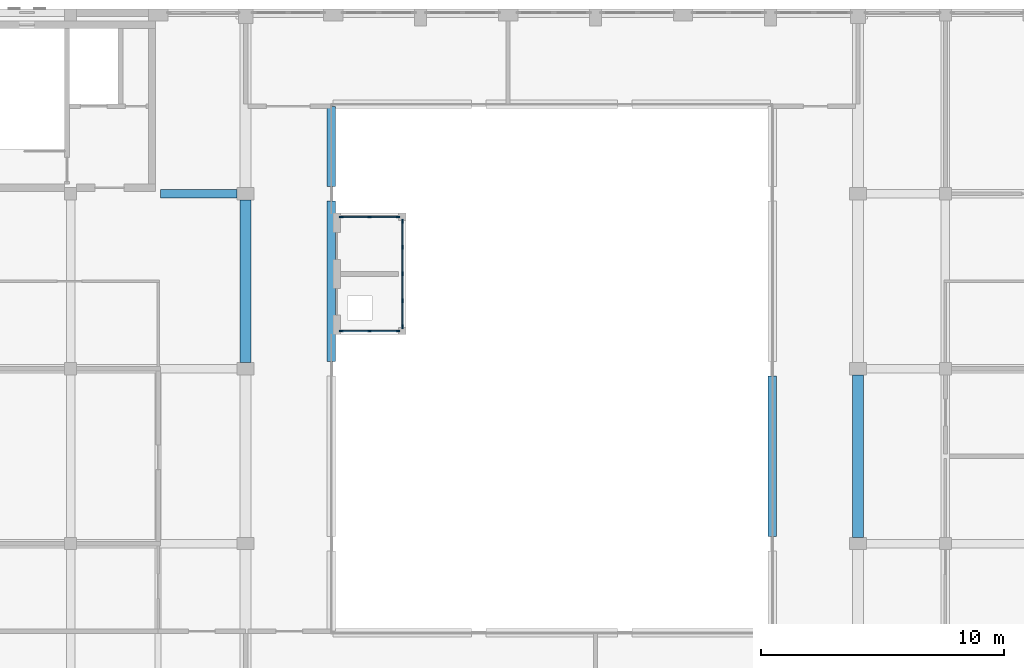
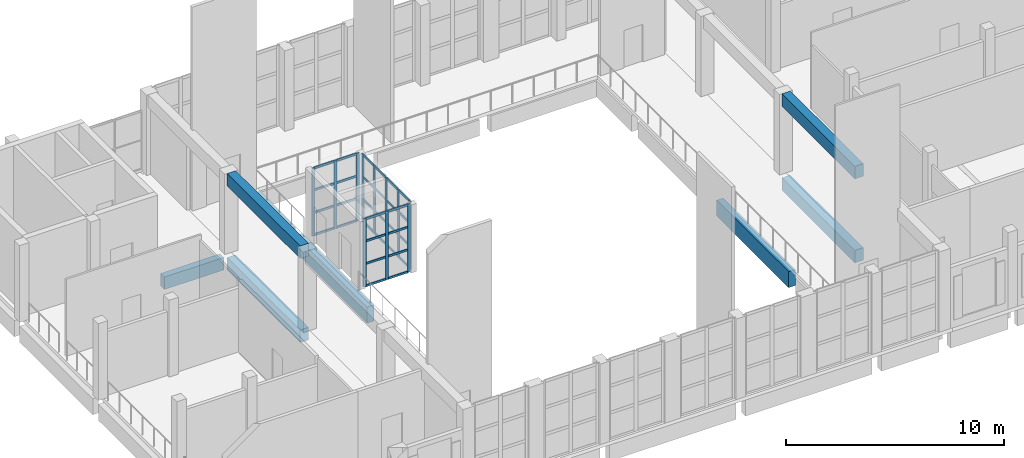
# One storey, part 6 of 54: 43 members, 8 beams, 3 elements without a shape of their own.
"""IFC4 building model written with IfcOpenShell, lengths in metres."""

import ifcopenshell
import ifcopenshell.guid

model = None  # the IFC model being written
_history = None  # IfcOwnerHistory: only IFC2X3 demands one
_inside = {}  # id of a spatial element -> (the spatial element, [elements in it])
_under = {}  # id of a project, library or spatial element -> (it, [spatial elements below it])
_declared = {}  # id of a project -> (the project, [libraries it declares])
_typed = {}  # id of a type object -> (the type object, [elements of that type])
_made_of = {}  # id of a material, layer set ... -> (it, [elements and type objects made of it])


def new_model(schema):
    """Start an empty IFC model of exactly this schema.

    Asked for "IFC4X3", IfcOpenShell would pick the latest addendum, in which some entities
    have other attributes; the version numbers below select the first issue.
    IFC2X3 requires an IfcOwnerHistory on every rooted entity: one is made here for all.
    """
    global model, _history
    if schema == "IFC4X3":
        model = ifcopenshell.file(schema_version=(4, 3, 0, 0))
    else:
        model = ifcopenshell.file(schema=schema)
    _inside.clear()
    _under.clear()
    _declared.clear()
    _typed.clear()
    _made_of.clear()
    _history = None
    if model.schema == "IFC2X3":
        org = make("IfcOrganization", Name="unknown")
        user = make(
            "IfcPersonAndOrganization",
            ThePerson=make("IfcPerson", FamilyName="unknown"),
            TheOrganization=org,
        )
        app = make(
            "IfcApplication",
            ApplicationDeveloper=org,
            Version="unknown",
            ApplicationFullName="unknown",
            ApplicationIdentifier="unknown",
        )
        _history = make(
            "IfcOwnerHistory",
            OwningUser=user,
            OwningApplication=app,
            ChangeAction="ADDED",
            CreationDate=0,
        )
    return model


def make(cls, **values):
    """One entity of the class cls with the attributes given. An attribute that is None is left unset."""
    return model.create_entity(
        cls, **{name: value for name, value in values.items() if value is not None}
    )


def rooted(cls, **values):
    """An entity with a GlobalId (a new one), such as an element, a storey or a relation."""
    return make(cls, GlobalId=ifcopenshell.guid.new(), OwnerHistory=_history, **values)


def si_unit(unit_type, name, prefix=None):
    """IfcSIUnit, for example si_unit("LENGTHUNIT", "METRE", prefix="MILLI")."""
    return make("IfcSIUnit", UnitType=unit_type, Prefix=prefix, Name=name)


def assignment(units):
    """IfcUnitAssignment: the units of a project."""
    return None if units is None else make("IfcUnitAssignment", Units=units)


def point(xyz):
    """IfcCartesianPoint."""
    return None if xyz is None else make("IfcCartesianPoint", Coordinates=xyz)


def direction(xyz):
    """IfcDirection."""
    return None if xyz is None else make("IfcDirection", DirectionRatios=xyz)


def frame(location, z_axis=None, x_axis=None):
    """IfcAxis2Placement3D, a coordinate frame: its origin and axes. An axis left out is left unset."""
    return make(
        "IfcAxis2Placement3D",
        Location=point(location),
        Axis=direction(z_axis),
        RefDirection=direction(x_axis),
    )


def frame_2d(location, x_axis=None):
    """IfcAxis2Placement2D, a coordinate frame in the plane: its origin and x axis."""
    return make(
        "IfcAxis2Placement2D", Location=point(location), RefDirection=direction(x_axis)
    )


def origin():
    """The frame at (0, 0, 0) with its axes left unset."""
    return frame((0.0, 0.0, 0.0))


def origin_2d():
    """The frame at (0, 0) in the plane with its x axis left unset."""
    return frame_2d((0.0, 0.0))


def place(relative_to, where):
    """IfcLocalPlacement: puts the frame where relative to a parent placement (None: the world)."""
    return make(
        "IfcLocalPlacement", PlacementRelTo=relative_to, RelativePlacement=where
    )


def context(
    kind, dimensions, precision=None, world=None, true_north=None, identifier=None
):
    """IfcGeometricRepresentationContext, for example the 3D "Model" context."""
    return make(
        "IfcGeometricRepresentationContext",
        ContextIdentifier=identifier,
        ContextType=kind,
        CoordinateSpaceDimension=dimensions,
        Precision=precision,
        WorldCoordinateSystem=world,
        TrueNorth=true_north,
    )


def subcontext(parent, identifier, kind, view, scale=None):
    """IfcGeometricRepresentationSubContext, for example "Body" below "Model"."""
    return make(
        "IfcGeometricRepresentationSubContext",
        ContextIdentifier=identifier,
        ContextType=kind,
        ParentContext=parent,
        TargetScale=scale,
        TargetView=view,
    )


def project(units=None, contexts=None):
    """IfcProject with its units and contexts."""
    return rooted(
        "IfcProject",
        Name="project",
        RepresentationContexts=contexts,
        UnitsInContext=assignment(units),
    )


def spatial(cls, under=None, at=None, **own):
    """A site, building, storey or space (cls), placed at a placement, below another one or the project."""
    s = rooted(cls, ObjectPlacement=at, **own)
    if under is not None:
        _under.setdefault(under.id(), (under, []))[1].append(s)
    return s


def profile(cls, at=None, kind="AREA", **sizes):
    """A parametric profile (cls). Its sizes go by their IFC names, for example OverallWidth=200.0."""
    return make(cls, ProfileType=kind, Position=at, **sizes)


def rectangle(**sizes):
    """IfcRectangleProfileDef."""
    return profile("IfcRectangleProfileDef", **sizes)


def extrude(swept, where, along, depth):
    """IfcExtrudedAreaSolid: the profile swept, set in the frame where, extruded along a direction by depth."""
    return make(
        "IfcExtrudedAreaSolid",
        SweptArea=swept,
        Position=where,
        ExtrudedDirection=direction(along),
        Depth=depth,
    )


def shape(context_of_items, identifier, shape_type, items):
    """IfcShapeRepresentation: the items that make up one representation, for example the "Body"."""
    return make(
        "IfcShapeRepresentation",
        ContextOfItems=context_of_items,
        RepresentationIdentifier=identifier,
        RepresentationType=shape_type,
        Items=items,
    )


def material(Name=None, Category=None):
    """IfcMaterial."""
    return make("IfcMaterial", Name=Name, Category=Category)


def layer(
    of_material, thickness, ventilated=None, Name=None, Category=None, Priority=None
):
    """IfcMaterialLayer: one layer of a wall or slab, of a material (None: an air gap)."""
    return make(
        "IfcMaterialLayer",
        Material=of_material,
        LayerThickness=thickness,
        IsVentilated=ventilated,
        Name=Name,
        Category=Category,
        Priority=Priority,
    )


def layer_set(layers, Name=None):
    """IfcMaterialLayerSet."""
    return make("IfcMaterialLayerSet", MaterialLayers=layers, LayerSetName=Name)


def material_profile(
    of_material, cross_section, Name=None, Category=None, Priority=None
):
    """IfcMaterialProfile: a cross section and its material."""
    return make(
        "IfcMaterialProfile",
        Name=Name,
        Material=of_material,
        Profile=cross_section,
        Priority=Priority,
        Category=Category,
    )


def profile_set(profiles, Name=None, composite=None):
    """IfcMaterialProfileSet."""
    return make(
        "IfcMaterialProfileSet",
        Name=Name,
        MaterialProfiles=profiles,
        CompositeProfile=composite,
    )


def made_of(thing, what):
    """Note that an element or type object is made of a material, layer set ...; save() writes the relation."""
    if what is not None:
        _made_of.setdefault(what.id(), (what, []))[1].append(thing)
    return thing


def type_object(cls, material=None, **own):
    """A type object (cls), such as IfcWallType, which elements share."""
    return made_of(rooted(cls, **own), material)


def element(
    cls,
    number,
    at=None,
    inside=None,
    cuts=None,
    type_object=None,
    material=None,
    context=None,
    identifier="Body",
    shape_type=None,
    held_by="IfcProductDefinitionShape",
    body=None,
    shapes=None,
    **own,
):
    """One element of the class cls, such as IfcWall. Its Tag is "e" and its number.

    at: its placement. inside: the storey or other place that contains it. cuts: it is an
    opening in that element (IfcRelVoidsElement). A single representation is given by context,
    identifier, shape_type and body (its items); several are given by shapes. held_by: the class
    of the entity that holds the representations. save() writes the other relations.
    """
    e = rooted(cls, Tag="e%d" % number, ObjectPlacement=at, **own)
    if body is not None:
        shapes = [shape(context, identifier, shape_type, body)]
    if shapes is not None:
        e.Representation = make(held_by, Representations=shapes)
    if inside is not None:
        _inside.setdefault(inside.id(), (inside, []))[1].append(e)
    if cuts is not None:
        rooted(
            "IfcRelVoidsElement", RelatingBuildingElement=cuts, RelatedOpeningElement=e
        )
    if type_object is not None:
        _typed.setdefault(type_object.id(), (type_object, []))[1].append(e)
    return made_of(e, material)


def aggregate(whole, parts):
    """IfcRelAggregates: a whole, such as a stair, and the parts it consists of."""
    return rooted("IfcRelAggregates", RelatingObject=whole, RelatedObjects=parts)


def save(model, path):
    """Write the relations noted so far, then the file.

    IfcRelAggregates (storeys below a building ...), IfcRelContainedInSpatialStructure (elements
    in a storey), IfcRelDefinesByType, IfcRelAssociatesMaterial and IfcRelDeclares: one each for
    every whole, place, type object, material and project.
    """
    for whole, parts in _under.values():
        aggregate(whole, parts)
    for where, things in _inside.values():
        rooted(
            "IfcRelContainedInSpatialStructure",
            RelatedElements=things,
            RelatingStructure=where,
        )
    for kind, things in _typed.values():
        rooted("IfcRelDefinesByType", RelatedObjects=things, RelatingType=kind)
    for what, things in _made_of.values():
        rooted("IfcRelAssociatesMaterial", RelatedObjects=things, RelatingMaterial=what)
    for by, libraries in _declared.values():
        rooted("IfcRelDeclares", RelatingContext=by, RelatedDefinitions=libraries)
    model.write(path)


model = new_model("IFC4")

# Units and contexts
model_context = context("Model", 3, precision=1e-05, world=origin(), true_north=direction((0.0, 1.0)))
body_context = subcontext(model_context, "Body", "Model", "MODEL_VIEW")
ifc_project = project(units=[si_unit("LENGTHUNIT", "METRE"), si_unit("AREAUNIT", "SQUARE_METRE"), si_unit("VOLUMEUNIT", "CUBIC_METRE"), si_unit("PLANEANGLEUNIT", "RADIAN"), si_unit("MASSUNIT", "GRAM", prefix="KILO")], contexts=[model_context])

# Site, building, storey
site_placement = place(None, origin())
site = spatial("IfcSite", under=ifc_project, at=site_placement, CompositionType="ELEMENT")
building_placement = place(site_placement, origin())
building = spatial("IfcBuilding", under=site, at=building_placement, Name="Ussher Court Research Institute", CompositionType="ELEMENT")
storey_placement = place(building_placement, frame((0.0, 0.0, 14.39990234375)))
storey = spatial("IfcBuildingStorey", under=building, at=storey_placement, Name="L03", CompositionType="ELEMENT", Elevation=14.39990234375)

# Curtain wall, members
ifc_material_1 = material(Name="Bronze anodised aluminium with low-e glass", Category="aluminium")
ifc_layer = layer(ifc_material_1, 0.1201171875)
ifc_layer_set = layer_set([ifc_layer], Name="Bronze anodised aluminium with low-e glass")
curtain_wall_type = type_object("IfcCurtainWallType", Name="Curtain wall atrium clear glazing", PredefinedType="NOTDEFINED", material=ifc_layer_set)
curtain_wall_1_placement = place(storey_placement, origin())
curtain_wall_1 = element("IfcCurtainWall", 1, at=curtain_wall_1_placement, inside=storey, type_object=curtain_wall_type, Name="Curtain wall CW2 lift shaft L03", PredefinedType="NOTDEFINED")
ifc_material_2 = material(Name="Bronze anodised aluminium", Category="aluminium")
ifc_material_profile_1 = material_profile(ifc_material_2, rectangle(XDim=0.06005859375, YDim=0.159912109375, at=origin_2d()), Name="Mullion 60x160")
ifc_profile_set_1 = profile_set([ifc_material_profile_1], Name="Bronze anodised aluminium")
member_type_1 = type_object("IfcMemberType", Name="Mullion 60x160", PredefinedType="MULLION", material=ifc_profile_set_1)
member_1_placement = place(storey_placement, frame((42.929931640625, 27.14990234375, 0.0), z_axis=(0.0, 0.0, 1.0), x_axis=(0.0, 1.0, 0.0)))
member_1 = element("IfcMember", 2, at=member_1_placement, type_object=member_type_1, Name="CW2 mullion 1", PredefinedType="MULLION", context=body_context, shape_type="SweptSolid", body=[
    extrude(rectangle(XDim=0.06005859375, YDim=0.159912109375, at=origin_2d()), origin(), (0.0, 0.0, 1.0), 3.800048828125),
])
member_2_placement = place(storey_placement, frame((44.10009765625, 27.14990234375, 0.0), z_axis=(0.0, 0.0, 1.0), x_axis=(0.0, 1.0, 0.0)))
member_2 = element("IfcMember", 3, at=member_2_placement, type_object=member_type_1, Name="CW2 mullion 2", PredefinedType="MULLION", context=body_context, shape_type="SweptSolid", body=[
    extrude(rectangle(XDim=0.06005859375, YDim=0.159912109375, at=origin_2d()), origin(), (0.0, 0.0, 1.0), 3.800048828125),
])
member_3_placement = place(storey_placement, frame((45.27001953125, 27.14990234375, 0.0), z_axis=(0.0, 0.0, 1.0), x_axis=(0.0, 1.0, 0.0)))
member_3 = element("IfcMember", 4, at=member_3_placement, type_object=member_type_1, Name="CW2 mullion 3", PredefinedType="MULLION", context=body_context, shape_type="SweptSolid", body=[
    extrude(rectangle(XDim=0.06005859375, YDim=0.159912109375, at=origin_2d()), origin(), (0.0, 0.0, 1.0), 3.800048828125),
])

curtain_wall_2_placement = place(storey_placement, origin())
curtain_wall_2 = element("IfcCurtainWall", 5, at=curtain_wall_2_placement, inside=storey, type_object=curtain_wall_type, Name="Curtain wall CW2 lift shaft L03", PredefinedType="NOTDEFINED")
member_4_placement = place(storey_placement, frame((42.929931640625, 31.85009765625, 0.0), z_axis=(0.0, 0.0, 1.0), x_axis=(0.0, 1.0, 0.0)))
member_4 = element("IfcMember", 6, at=member_4_placement, type_object=member_type_1, Name="CW2 mullion 1", PredefinedType="MULLION", context=body_context, shape_type="SweptSolid", body=[
    extrude(rectangle(XDim=0.06005859375, YDim=0.159912109375, at=origin_2d()), origin(), (0.0, 0.0, 1.0), 3.800048828125),
])
member_5_placement = place(storey_placement, frame((44.10009765625, 31.85009765625, 0.0), z_axis=(0.0, 0.0, 1.0), x_axis=(0.0, 1.0, 0.0)))
member_5 = element("IfcMember", 7, at=member_5_placement, type_object=member_type_1, Name="CW2 mullion 2", PredefinedType="MULLION", context=body_context, shape_type="SweptSolid", body=[
    extrude(rectangle(XDim=0.06005859375, YDim=0.159912109375, at=origin_2d()), origin(), (0.0, 0.0, 1.0), 3.800048828125),
])
member_6_placement = place(storey_placement, frame((45.27001953125, 31.85009765625, 0.0), z_axis=(0.0, 0.0, 1.0), x_axis=(0.0, 1.0, 0.0)))
member_6 = element("IfcMember", 8, at=member_6_placement, type_object=member_type_1, Name="CW2 mullion 3", PredefinedType="MULLION", context=body_context, shape_type="SweptSolid", body=[
    extrude(rectangle(XDim=0.06005859375, YDim=0.159912109375, at=origin_2d()), origin(), (0.0, 0.0, 1.0), 3.800048828125),
])

curtain_wall_3_placement = place(storey_placement, origin())
curtain_wall_3 = element("IfcCurtainWall", 9, at=curtain_wall_3_placement, inside=storey, type_object=curtain_wall_type, Name="Curtain wall CW2 lift shaft L03", PredefinedType="NOTDEFINED")
member_7_placement = place(storey_placement, frame((45.449951171875, 27.330078125, 0.0), z_axis=(0.0, 0.0, 1.0), x_axis=(-1.0, 0.0, 0.0)))
member_7 = element("IfcMember", 10, at=member_7_placement, type_object=member_type_1, Name="CW2 mullion 1", PredefinedType="MULLION", context=body_context, shape_type="SweptSolid", body=[
    extrude(rectangle(XDim=0.06005859375, YDim=0.159912109375, at=origin_2d()), origin(), (0.0, 0.0, 1.0), 3.800048828125),
])
member_8_placement = place(storey_placement, frame((45.449951171875, 28.39990234375, 0.0), z_axis=(0.0, 0.0, 1.0), x_axis=(-1.0, 0.0, 0.0)))
member_8 = element("IfcMember", 11, at=member_8_placement, type_object=member_type_1, Name="CW2 mullion 2", PredefinedType="MULLION", context=body_context, shape_type="SweptSolid", body=[
    extrude(rectangle(XDim=0.06005859375, YDim=0.159912109375, at=origin_2d()), origin(), (0.0, 0.0, 1.0), 3.800048828125),
])
member_9_placement = place(storey_placement, frame((45.449951171875, 29.5, 0.0), z_axis=(0.0, 0.0, 1.0), x_axis=(-1.0, 0.0, 0.0)))
member_9 = element("IfcMember", 12, at=member_9_placement, type_object=member_type_1, Name="CW2 mullion 3", PredefinedType="MULLION", context=body_context, shape_type="SweptSolid", body=[
    extrude(rectangle(XDim=0.06005859375, YDim=0.159912109375, at=origin_2d()), origin(), (0.0, 0.0, 1.0), 3.800048828125),
])
member_10_placement = place(storey_placement, frame((45.449951171875, 30.60009765625, 0.0), z_axis=(0.0, 0.0, 1.0), x_axis=(-1.0, 0.0, 0.0)))
member_10 = element("IfcMember", 13, at=member_10_placement, type_object=member_type_1, Name="CW2 mullion 4", PredefinedType="MULLION", context=body_context, shape_type="SweptSolid", body=[
    extrude(rectangle(XDim=0.06005859375, YDim=0.159912109375, at=origin_2d()), origin(), (0.0, 0.0, 1.0), 3.800048828125),
])
member_11_placement = place(storey_placement, frame((45.449951171875, 31.669921875, 0.0), z_axis=(0.0, 0.0, 1.0), x_axis=(-1.0, 0.0, 0.0)))
member_11 = element("IfcMember", 14, at=member_11_placement, type_object=member_type_1, Name="CW2 mullion 5", PredefinedType="MULLION", context=body_context, shape_type="SweptSolid", body=[
    extrude(rectangle(XDim=0.06005859375, YDim=0.159912109375, at=origin_2d()), origin(), (0.0, 0.0, 1.0), 3.800048828125),
])

# Beams
ifc_material_3 = material(Name="Concrete C35/45", Category="concrete")
ifc_material_profile_2 = material_profile(ifc_material_3, rectangle(XDim=0.35009765625, YDim=0.699951171875, at=origin_2d()), Name="RC 350x700")
ifc_profile_set_2 = profile_set([ifc_material_profile_2], Name="Concrete C35/45")
beam_type_1 = type_object("IfcBeamType", Name="RC 350x700 beam", PredefinedType="BEAM", material=ifc_profile_set_2)
beam_1_placement = place(storey_placement, frame((35.5, 32.800048828125, -0.5498046875), z_axis=(1.0, 0.0, 0.0), x_axis=(0.0, 1.0, 0.0)))
element("IfcBeam", 15, at=beam_1_placement, inside=storey, type_object=beam_type_1, Name="B16 V7 L03-11", PredefinedType="BEAM", context=body_context, shape_type="SweptSolid", body=[
    extrude(rectangle(XDim=0.35009765625, YDim=0.699951171875, at=origin_2d()), origin(), (0.0, 0.0, 1.0), 3.14990234375),
])
ifc_material_4 = material(Name="Concrete C35/45", Category="concrete")
ifc_material_profile_3 = material_profile(ifc_material_4, rectangle(XDim=0.35009765625, YDim=0.89990234375, at=origin_2d()), Name="RC 350x900")
ifc_profile_set_3 = profile_set([ifc_material_profile_3], Name="Concrete C35/45")
beam_type_2 = type_object("IfcBeamType", Name="RC 350x900 beam", PredefinedType="BEAM", material=ifc_profile_set_3)
beam_2_placement = place(storey_placement, frame((42.52490234375, 25.89990234375, -0.64990234375), z_axis=(0.0, 1.0, 0.0), x_axis=(-1.0, 0.0, 0.0)))
element("IfcBeam", 16, at=beam_2_placement, inside=storey, type_object=beam_type_2, Name="SB1 V2 L03-11", PredefinedType="BEAM", context=body_context, shape_type="SweptSolid", body=[
    extrude(rectangle(XDim=0.35009765625, YDim=0.89990234375, at=origin_2d()), origin(), (0.0, 0.0, 1.0), 6.60009765625),
])
beam_3_placement = place(storey_placement, frame((42.52490234375, 33.10009765625, -0.64990234375), z_axis=(0.0, 1.0, 0.0), x_axis=(-1.0, 0.0, 0.0)))
element("IfcBeam", 17, at=beam_3_placement, inside=storey, type_object=beam_type_2, Name="SB1 V2 L03-12", PredefinedType="BEAM", context=body_context, shape_type="SweptSolid", body=[
    extrude(rectangle(XDim=0.35009765625, YDim=0.89990234375, at=origin_2d()), origin(), (0.0, 0.0, 1.0), 3.2998046875),
])
beam_4_placement = place(storey_placement, frame((60.675048828125, 18.699951171875, -0.64990234375), z_axis=(0.0, 1.0, 0.0), x_axis=(-1.0, 0.0, 0.0)))
element("IfcBeam", 18, at=beam_4_placement, inside=storey, type_object=beam_type_2, Name="SB1 V2 L03-14", PredefinedType="BEAM", context=body_context, shape_type="SweptSolid", body=[
    extrude(rectangle(XDim=0.35009765625, YDim=0.89990234375, at=origin_2d()), origin(), (0.0, 0.0, 1.0), 6.60009765625),
])
ifc_material_5 = material(Name="Concrete C35/45", Category="concrete")
ifc_material_profile_4 = material_profile(ifc_material_5, rectangle(XDim=0.449951171875, YDim=0.699951171875, at=origin_2d()), Name="RC 450x700")
ifc_profile_set_4 = profile_set([ifc_material_profile_4], Name="Concrete C35/45")
beam_type_3 = type_object("IfcBeamType", Name="RC 450x700 beam", PredefinedType="BEAM", material=ifc_profile_set_4)
beam_5_placement = place(storey_placement, frame((39.0, 25.85009765625, -0.5498046875), z_axis=(0.0, 1.0, 0.0), x_axis=(-1.0, 0.0, 0.0)))
element("IfcBeam", 19, at=beam_5_placement, inside=storey, type_object=beam_type_3, Name="B10 V2 L03-03", PredefinedType="BEAM", context=body_context, shape_type="SweptSolid", body=[
    extrude(rectangle(XDim=0.449951171875, YDim=0.699951171875, at=origin_2d()), origin(), (0.0, 0.0, 1.0), 6.699951171875),
])
beam_6_placement = place(storey_placement, frame((64.199951171875, 18.64990234375, -0.5498046875), z_axis=(0.0, 1.0, 0.0), x_axis=(-1.0, 0.0, 0.0)))
element("IfcBeam", 20, at=beam_6_placement, inside=storey, type_object=beam_type_3, Name="B10 V2 L03-06", PredefinedType="BEAM", context=body_context, shape_type="SweptSolid", body=[
    extrude(rectangle(XDim=0.449951171875, YDim=0.699951171875, at=origin_2d()), origin(), (0.0, 0.0, 1.0), 6.7001953125),
])
beam_7_placement = place(storey_placement, frame((39.0, 25.85009765625, 4.150146484375), z_axis=(0.0, 1.0, 0.0), x_axis=(-1.0, 0.0, 0.0)))
element("IfcBeam", 21, at=beam_7_placement, inside=storey, type_object=beam_type_3, Name="B10 V2 L03-11", PredefinedType="BEAM", context=body_context, shape_type="SweptSolid", body=[
    extrude(rectangle(XDim=0.449951171875, YDim=0.699951171875, at=origin_2d()), origin(), (0.0, 0.0, 1.0), 6.699951171875),
])
beam_8_placement = place(storey_placement, frame((64.199951171875, 18.64990234375, 4.150146484375), z_axis=(0.0, 1.0, 0.0), x_axis=(-1.0, 0.0, 0.0)))
element("IfcBeam", 22, at=beam_8_placement, inside=storey, type_object=beam_type_3, Name="B10 V2 L03-14", PredefinedType="BEAM", context=body_context, shape_type="SweptSolid", body=[
    extrude(rectangle(XDim=0.449951171875, YDim=0.699951171875, at=origin_2d()), origin(), (0.0, 0.0, 1.0), 6.7001953125),
])

# Member
ifc_material_6 = material(Name="Bronze anodised aluminium", Category="aluminium")
ifc_material_profile_5 = material_profile(ifc_material_6, rectangle(XDim=0.06005859375, YDim=0.1201171875, at=origin_2d()), Name="Transom 60x120")
ifc_profile_set_5 = profile_set([ifc_material_profile_5], Name="Bronze anodised aluminium")
member_type_2 = type_object("IfcMemberType", Name="Transom 60x120", PredefinedType="USERDEFINED", material=ifc_profile_set_5)
member_12_placement = place(storey_placement, frame((42.9599609375, 27.14990234375, 0.030029296875), z_axis=(1.0, 0.0, 0.0), x_axis=(0.0, 1.0, 0.0)))
member_12 = element("IfcMember", 23, at=member_12_placement, type_object=member_type_2, Name="CW2 transom 1.1", ObjectType="TRANSOM", PredefinedType="USERDEFINED", context=body_context, shape_type="SweptSolid", body=[
    extrude(rectangle(XDim=0.06005859375, YDim=0.1201171875, at=origin_2d()), origin(), (0.0, 0.0, 1.0), 1.110107421875),
])

member_13_placement = place(storey_placement, frame((42.9599609375, 27.14990234375, 1.266845703125), z_axis=(1.0, 0.0, 0.0), x_axis=(0.0, 1.0, 0.0)))
member_13 = element("IfcMember", 24, at=member_13_placement, type_object=member_type_2, Name="CW2 transom 1.2", ObjectType="TRANSOM", PredefinedType="USERDEFINED", context=body_context, shape_type="SweptSolid", body=[
    extrude(rectangle(XDim=0.06005859375, YDim=0.1201171875, at=origin_2d()), origin(), (0.0, 0.0, 1.0), 1.110107421875),
])

member_14_placement = place(storey_placement, frame((42.9599609375, 27.14990234375, 2.533447265625), z_axis=(1.0, 0.0, 0.0), x_axis=(0.0, 1.0, 0.0)))
member_14 = element("IfcMember", 25, at=member_14_placement, type_object=member_type_2, Name="CW2 transom 1.3", ObjectType="TRANSOM", PredefinedType="USERDEFINED", context=body_context, shape_type="SweptSolid", body=[
    extrude(rectangle(XDim=0.06005859375, YDim=0.1201171875, at=origin_2d()), origin(), (0.0, 0.0, 1.0), 1.110107421875),
])

member_15_placement = place(storey_placement, frame((42.9599609375, 27.14990234375, 3.77001953125), z_axis=(1.0, 0.0, 0.0), x_axis=(0.0, 1.0, 0.0)))
member_15 = element("IfcMember", 26, at=member_15_placement, type_object=member_type_2, Name="CW2 transom 1.4", ObjectType="TRANSOM", PredefinedType="USERDEFINED", context=body_context, shape_type="SweptSolid", body=[
    extrude(rectangle(XDim=0.06005859375, YDim=0.1201171875, at=origin_2d()), origin(), (0.0, 0.0, 1.0), 1.110107421875),
])

member_16_placement = place(storey_placement, frame((44.1298828125, 27.14990234375, 0.030029296875), z_axis=(1.0, 0.0, 0.0), x_axis=(0.0, 1.0, 0.0)))
member_16 = element("IfcMember", 27, at=member_16_placement, type_object=member_type_2, Name="CW2 transom 2.1", ObjectType="TRANSOM", PredefinedType="USERDEFINED", context=body_context, shape_type="SweptSolid", body=[
    extrude(rectangle(XDim=0.06005859375, YDim=0.1201171875, at=origin_2d()), origin(), (0.0, 0.0, 1.0), 1.110107421875),
])

member_17_placement = place(storey_placement, frame((44.1298828125, 27.14990234375, 1.266845703125), z_axis=(1.0, 0.0, 0.0), x_axis=(0.0, 1.0, 0.0)))
member_17 = element("IfcMember", 28, at=member_17_placement, type_object=member_type_2, Name="CW2 transom 2.2", ObjectType="TRANSOM", PredefinedType="USERDEFINED", context=body_context, shape_type="SweptSolid", body=[
    extrude(rectangle(XDim=0.06005859375, YDim=0.1201171875, at=origin_2d()), origin(), (0.0, 0.0, 1.0), 1.110107421875),
])

member_18_placement = place(storey_placement, frame((44.1298828125, 27.14990234375, 2.533447265625), z_axis=(1.0, 0.0, 0.0), x_axis=(0.0, 1.0, 0.0)))
member_18 = element("IfcMember", 29, at=member_18_placement, type_object=member_type_2, Name="CW2 transom 2.3", ObjectType="TRANSOM", PredefinedType="USERDEFINED", context=body_context, shape_type="SweptSolid", body=[
    extrude(rectangle(XDim=0.06005859375, YDim=0.1201171875, at=origin_2d()), origin(), (0.0, 0.0, 1.0), 1.110107421875),
])

member_19_placement = place(storey_placement, frame((44.1298828125, 27.14990234375, 3.77001953125), z_axis=(1.0, 0.0, 0.0), x_axis=(0.0, 1.0, 0.0)))
member_19 = element("IfcMember", 30, at=member_19_placement, type_object=member_type_2, Name="CW2 transom 2.4", ObjectType="TRANSOM", PredefinedType="USERDEFINED", context=body_context, shape_type="SweptSolid", body=[
    extrude(rectangle(XDim=0.06005859375, YDim=0.1201171875, at=origin_2d()), origin(), (0.0, 0.0, 1.0), 1.110107421875),
])

aggregate(curtain_wall_1, [member_1, member_2, member_3, member_12, member_13, member_14, member_15, member_16, member_17, member_18, member_19])

member_20_placement = place(storey_placement, frame((42.9599609375, 31.85009765625, 0.030029296875), z_axis=(1.0, 0.0, 0.0), x_axis=(0.0, 1.0, 0.0)))
member_20 = element("IfcMember", 31, at=member_20_placement, type_object=member_type_2, Name="CW2 transom 1.1", ObjectType="TRANSOM", PredefinedType="USERDEFINED", context=body_context, shape_type="SweptSolid", body=[
    extrude(rectangle(XDim=0.06005859375, YDim=0.1201171875, at=origin_2d()), origin(), (0.0, 0.0, 1.0), 1.110107421875),
])

member_21_placement = place(storey_placement, frame((42.9599609375, 31.85009765625, 1.266845703125), z_axis=(1.0, 0.0, 0.0), x_axis=(0.0, 1.0, 0.0)))
member_21 = element("IfcMember", 32, at=member_21_placement, type_object=member_type_2, Name="CW2 transom 1.2", ObjectType="TRANSOM", PredefinedType="USERDEFINED", context=body_context, shape_type="SweptSolid", body=[
    extrude(rectangle(XDim=0.06005859375, YDim=0.1201171875, at=origin_2d()), origin(), (0.0, 0.0, 1.0), 1.110107421875),
])

member_22_placement = place(storey_placement, frame((42.9599609375, 31.85009765625, 2.533447265625), z_axis=(1.0, 0.0, 0.0), x_axis=(0.0, 1.0, 0.0)))
member_22 = element("IfcMember", 33, at=member_22_placement, type_object=member_type_2, Name="CW2 transom 1.3", ObjectType="TRANSOM", PredefinedType="USERDEFINED", context=body_context, shape_type="SweptSolid", body=[
    extrude(rectangle(XDim=0.06005859375, YDim=0.1201171875, at=origin_2d()), origin(), (0.0, 0.0, 1.0), 1.110107421875),
])

member_23_placement = place(storey_placement, frame((42.9599609375, 31.85009765625, 3.77001953125), z_axis=(1.0, 0.0, 0.0), x_axis=(0.0, 1.0, 0.0)))
member_23 = element("IfcMember", 34, at=member_23_placement, type_object=member_type_2, Name="CW2 transom 1.4", ObjectType="TRANSOM", PredefinedType="USERDEFINED", context=body_context, shape_type="SweptSolid", body=[
    extrude(rectangle(XDim=0.06005859375, YDim=0.1201171875, at=origin_2d()), origin(), (0.0, 0.0, 1.0), 1.110107421875),
])

member_24_placement = place(storey_placement, frame((44.1298828125, 31.85009765625, 0.030029296875), z_axis=(1.0, 0.0, 0.0), x_axis=(0.0, 1.0, 0.0)))
member_24 = element("IfcMember", 35, at=member_24_placement, type_object=member_type_2, Name="CW2 transom 2.1", ObjectType="TRANSOM", PredefinedType="USERDEFINED", context=body_context, shape_type="SweptSolid", body=[
    extrude(rectangle(XDim=0.06005859375, YDim=0.1201171875, at=origin_2d()), origin(), (0.0, 0.0, 1.0), 1.110107421875),
])

member_25_placement = place(storey_placement, frame((44.1298828125, 31.85009765625, 1.266845703125), z_axis=(1.0, 0.0, 0.0), x_axis=(0.0, 1.0, 0.0)))
member_25 = element("IfcMember", 36, at=member_25_placement, type_object=member_type_2, Name="CW2 transom 2.2", ObjectType="TRANSOM", PredefinedType="USERDEFINED", context=body_context, shape_type="SweptSolid", body=[
    extrude(rectangle(XDim=0.06005859375, YDim=0.1201171875, at=origin_2d()), origin(), (0.0, 0.0, 1.0), 1.110107421875),
])

member_26_placement = place(storey_placement, frame((44.1298828125, 31.85009765625, 2.533447265625), z_axis=(1.0, 0.0, 0.0), x_axis=(0.0, 1.0, 0.0)))
member_26 = element("IfcMember", 37, at=member_26_placement, type_object=member_type_2, Name="CW2 transom 2.3", ObjectType="TRANSOM", PredefinedType="USERDEFINED", context=body_context, shape_type="SweptSolid", body=[
    extrude(rectangle(XDim=0.06005859375, YDim=0.1201171875, at=origin_2d()), origin(), (0.0, 0.0, 1.0), 1.110107421875),
])

member_27_placement = place(storey_placement, frame((44.1298828125, 31.85009765625, 3.77001953125), z_axis=(1.0, 0.0, 0.0), x_axis=(0.0, 1.0, 0.0)))
member_27 = element("IfcMember", 38, at=member_27_placement, type_object=member_type_2, Name="CW2 transom 2.4", ObjectType="TRANSOM", PredefinedType="USERDEFINED", context=body_context, shape_type="SweptSolid", body=[
    extrude(rectangle(XDim=0.06005859375, YDim=0.1201171875, at=origin_2d()), origin(), (0.0, 0.0, 1.0), 1.110107421875),
])

aggregate(curtain_wall_2, [member_4, member_5, member_6, member_20, member_21, member_22, member_23, member_24, member_25, member_26, member_27])

member_28_placement = place(storey_placement, frame((45.449951171875, 27.360107421875, 0.030029296875), z_axis=(0.0, 1.0, 0.0), x_axis=(-1.0, 0.0, 0.0)))
member_28 = element("IfcMember", 39, at=member_28_placement, type_object=member_type_2, Name="CW2 transom 1.1", ObjectType="TRANSOM", PredefinedType="USERDEFINED", context=body_context, shape_type="SweptSolid", body=[
    extrude(rectangle(XDim=0.06005859375, YDim=0.1201171875, at=origin_2d()), origin(), (0.0, 0.0, 1.0), 1.010009765625),
])

member_29_placement = place(storey_placement, frame((45.449951171875, 27.360107421875, 1.266845703125), z_axis=(0.0, 1.0, 0.0), x_axis=(-1.0, 0.0, 0.0)))
member_29 = element("IfcMember", 40, at=member_29_placement, type_object=member_type_2, Name="CW2 transom 1.2", ObjectType="TRANSOM", PredefinedType="USERDEFINED", context=body_context, shape_type="SweptSolid", body=[
    extrude(rectangle(XDim=0.06005859375, YDim=0.1201171875, at=origin_2d()), origin(), (0.0, 0.0, 1.0), 1.010009765625),
])

member_30_placement = place(storey_placement, frame((45.449951171875, 27.360107421875, 2.533447265625), z_axis=(0.0, 1.0, 0.0), x_axis=(-1.0, 0.0, 0.0)))
member_30 = element("IfcMember", 41, at=member_30_placement, type_object=member_type_2, Name="CW2 transom 1.3", ObjectType="TRANSOM", PredefinedType="USERDEFINED", context=body_context, shape_type="SweptSolid", body=[
    extrude(rectangle(XDim=0.06005859375, YDim=0.1201171875, at=origin_2d()), origin(), (0.0, 0.0, 1.0), 1.010009765625),
])

member_31_placement = place(storey_placement, frame((45.449951171875, 27.360107421875, 3.77001953125), z_axis=(0.0, 1.0, 0.0), x_axis=(-1.0, 0.0, 0.0)))
member_31 = element("IfcMember", 42, at=member_31_placement, type_object=member_type_2, Name="CW2 transom 1.4", ObjectType="TRANSOM", PredefinedType="USERDEFINED", context=body_context, shape_type="SweptSolid", body=[
    extrude(rectangle(XDim=0.06005859375, YDim=0.1201171875, at=origin_2d()), origin(), (0.0, 0.0, 1.0), 1.010009765625),
])

member_32_placement = place(storey_placement, frame((45.449951171875, 28.429931640625, 0.030029296875), z_axis=(0.0, 1.0, 0.0), x_axis=(-1.0, 0.0, 0.0)))
member_32 = element("IfcMember", 43, at=member_32_placement, type_object=member_type_2, Name="CW2 transom 2.1", ObjectType="TRANSOM", PredefinedType="USERDEFINED", context=body_context, shape_type="SweptSolid", body=[
    extrude(rectangle(XDim=0.06005859375, YDim=0.1201171875, at=origin_2d()), origin(), (0.0, 0.0, 1.0), 1.0400390625),
])

member_33_placement = place(storey_placement, frame((45.449951171875, 28.429931640625, 1.266845703125), z_axis=(0.0, 1.0, 0.0), x_axis=(-1.0, 0.0, 0.0)))
member_33 = element("IfcMember", 44, at=member_33_placement, type_object=member_type_2, Name="CW2 transom 2.2", ObjectType="TRANSOM", PredefinedType="USERDEFINED", context=body_context, shape_type="SweptSolid", body=[
    extrude(rectangle(XDim=0.06005859375, YDim=0.1201171875, at=origin_2d()), origin(), (0.0, 0.0, 1.0), 1.0400390625),
])

member_34_placement = place(storey_placement, frame((45.449951171875, 28.429931640625, 2.533447265625), z_axis=(0.0, 1.0, 0.0), x_axis=(-1.0, 0.0, 0.0)))
member_34 = element("IfcMember", 45, at=member_34_placement, type_object=member_type_2, Name="CW2 transom 2.3", ObjectType="TRANSOM", PredefinedType="USERDEFINED", context=body_context, shape_type="SweptSolid", body=[
    extrude(rectangle(XDim=0.06005859375, YDim=0.1201171875, at=origin_2d()), origin(), (0.0, 0.0, 1.0), 1.0400390625),
])

member_35_placement = place(storey_placement, frame((45.449951171875, 28.429931640625, 3.77001953125), z_axis=(0.0, 1.0, 0.0), x_axis=(-1.0, 0.0, 0.0)))
member_35 = element("IfcMember", 46, at=member_35_placement, type_object=member_type_2, Name="CW2 transom 2.4", ObjectType="TRANSOM", PredefinedType="USERDEFINED", context=body_context, shape_type="SweptSolid", body=[
    extrude(rectangle(XDim=0.06005859375, YDim=0.1201171875, at=origin_2d()), origin(), (0.0, 0.0, 1.0), 1.0400390625),
])

member_36_placement = place(storey_placement, frame((45.449951171875, 29.530029296875, 0.030029296875), z_axis=(0.0, 1.0, 0.0), x_axis=(-1.0, 0.0, 0.0)))
member_36 = element("IfcMember", 47, at=member_36_placement, type_object=member_type_2, Name="CW2 transom 3.1", ObjectType="TRANSOM", PredefinedType="USERDEFINED", context=body_context, shape_type="SweptSolid", body=[
    extrude(rectangle(XDim=0.06005859375, YDim=0.1201171875, at=origin_2d()), origin(), (0.0, 0.0, 1.0), 1.0400390625),
])

member_37_placement = place(storey_placement, frame((45.449951171875, 29.530029296875, 1.266845703125), z_axis=(0.0, 1.0, 0.0), x_axis=(-1.0, 0.0, 0.0)))
member_37 = element("IfcMember", 48, at=member_37_placement, type_object=member_type_2, Name="CW2 transom 3.2", ObjectType="TRANSOM", PredefinedType="USERDEFINED", context=body_context, shape_type="SweptSolid", body=[
    extrude(rectangle(XDim=0.06005859375, YDim=0.1201171875, at=origin_2d()), origin(), (0.0, 0.0, 1.0), 1.0400390625),
])

member_38_placement = place(storey_placement, frame((45.449951171875, 29.530029296875, 2.533447265625), z_axis=(0.0, 1.0, 0.0), x_axis=(-1.0, 0.0, 0.0)))
member_38 = element("IfcMember", 49, at=member_38_placement, type_object=member_type_2, Name="CW2 transom 3.3", ObjectType="TRANSOM", PredefinedType="USERDEFINED", context=body_context, shape_type="SweptSolid", body=[
    extrude(rectangle(XDim=0.06005859375, YDim=0.1201171875, at=origin_2d()), origin(), (0.0, 0.0, 1.0), 1.0400390625),
])

member_39_placement = place(storey_placement, frame((45.449951171875, 29.530029296875, 3.77001953125), z_axis=(0.0, 1.0, 0.0), x_axis=(-1.0, 0.0, 0.0)))
member_39 = element("IfcMember", 50, at=member_39_placement, type_object=member_type_2, Name="CW2 transom 3.4", ObjectType="TRANSOM", PredefinedType="USERDEFINED", context=body_context, shape_type="SweptSolid", body=[
    extrude(rectangle(XDim=0.06005859375, YDim=0.1201171875, at=origin_2d()), origin(), (0.0, 0.0, 1.0), 1.0400390625),
])

member_40_placement = place(storey_placement, frame((45.449951171875, 30.6298828125, 0.030029296875), z_axis=(0.0, 1.0, 0.0), x_axis=(-1.0, 0.0, 0.0)))
member_40 = element("IfcMember", 51, at=member_40_placement, type_object=member_type_2, Name="CW2 transom 4.1", ObjectType="TRANSOM", PredefinedType="USERDEFINED", context=body_context, shape_type="SweptSolid", body=[
    extrude(rectangle(XDim=0.06005859375, YDim=0.1201171875, at=origin_2d()), origin(), (0.0, 0.0, 1.0), 1.010009765625),
])

member_41_placement = place(storey_placement, frame((45.449951171875, 30.6298828125, 1.266845703125), z_axis=(0.0, 1.0, 0.0), x_axis=(-1.0, 0.0, 0.0)))
member_41 = element("IfcMember", 52, at=member_41_placement, type_object=member_type_2, Name="CW2 transom 4.2", ObjectType="TRANSOM", PredefinedType="USERDEFINED", context=body_context, shape_type="SweptSolid", body=[
    extrude(rectangle(XDim=0.06005859375, YDim=0.1201171875, at=origin_2d()), origin(), (0.0, 0.0, 1.0), 1.010009765625),
])

member_42_placement = place(storey_placement, frame((45.449951171875, 30.6298828125, 2.533447265625), z_axis=(0.0, 1.0, 0.0), x_axis=(-1.0, 0.0, 0.0)))
member_42 = element("IfcMember", 53, at=member_42_placement, type_object=member_type_2, Name="CW2 transom 4.3", ObjectType="TRANSOM", PredefinedType="USERDEFINED", context=body_context, shape_type="SweptSolid", body=[
    extrude(rectangle(XDim=0.06005859375, YDim=0.1201171875, at=origin_2d()), origin(), (0.0, 0.0, 1.0), 1.010009765625),
])

member_43_placement = place(storey_placement, frame((45.449951171875, 30.6298828125, 3.77001953125), z_axis=(0.0, 1.0, 0.0), x_axis=(-1.0, 0.0, 0.0)))
member_43 = element("IfcMember", 54, at=member_43_placement, type_object=member_type_2, Name="CW2 transom 4.4", ObjectType="TRANSOM", PredefinedType="USERDEFINED", context=body_context, shape_type="SweptSolid", body=[
    extrude(rectangle(XDim=0.06005859375, YDim=0.1201171875, at=origin_2d()), origin(), (0.0, 0.0, 1.0), 1.010009765625),
])

aggregate(curtain_wall_3, [member_7, member_8, member_9, member_10, member_11, member_28, member_29, member_30, member_31, member_32, member_33, member_34, member_35, member_36, member_37, member_38, member_39, member_40, member_41, member_42, member_43])

save(model, "model.ifc")
